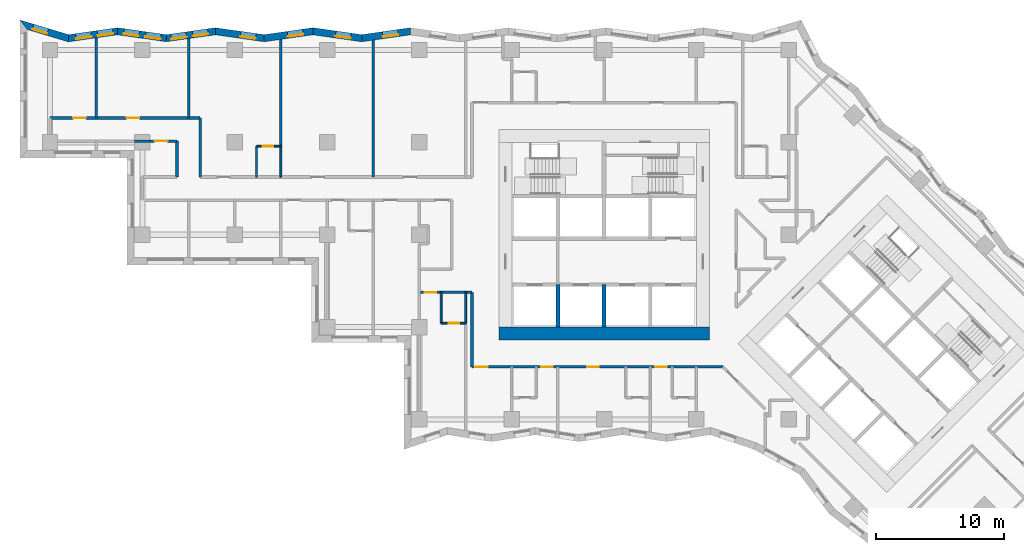
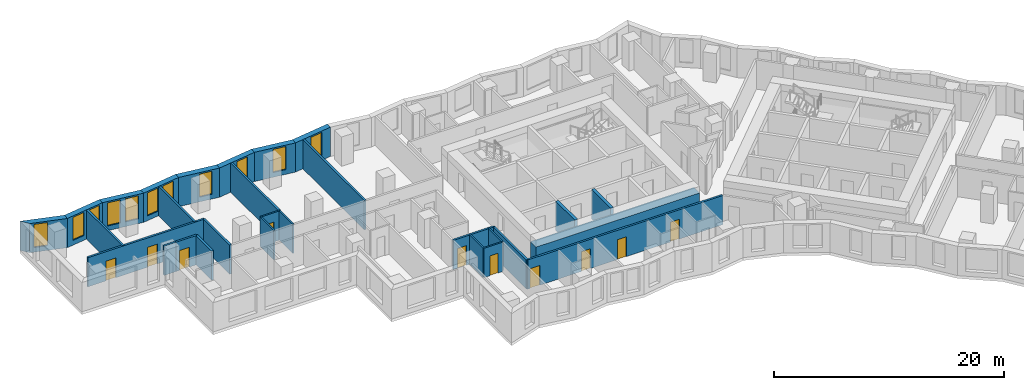
# One storey, part 4 of 12: 29 walls, 11 windows, 10 doors, 21 openings.
"""IFC4 building model written with IfcOpenShell, lengths in metres."""

from ifc_helpers import new_model, si_unit, direction, frame, frame_2d, origin, place, context, subcontext, project, spatial, polyline, rectangle, outline, extrude, material, layer, layer_set, type_object, element, fill, save


model = new_model("IFC4")

# Units and contexts
model_context = context("Model", 3, precision=1e-05, world=origin(), true_north=direction((0.0, 1.0)))
body_context = subcontext(model_context, "Body", "Model", "MODEL_VIEW")
ifc_project = project(units=[si_unit("LENGTHUNIT", "METRE"), si_unit("AREAUNIT", "SQUARE_METRE"), si_unit("VOLUMEUNIT", "CUBIC_METRE"), si_unit("PLANEANGLEUNIT", "RADIAN"), si_unit("MASSUNIT", "GRAM", prefix="KILO")], contexts=[model_context])

# Site, building, storey
site_placement = place(None, origin())
site = spatial("IfcSite", under=ifc_project, at=site_placement, CompositionType="ELEMENT")
building_placement = place(site_placement, origin())
building = spatial("IfcBuilding", under=site, at=building_placement, Name="Windrow Commons", CompositionType="ELEMENT")
storey_placement = place(building_placement, frame((0.0, 0.0, 54.2)))
storey = spatial("IfcBuildingStorey", under=building, at=storey_placement, Name="L14", CompositionType="ELEMENT", Elevation=54.2)

# Wall, opening, window
ifc_material_1 = material(Name="Brick masonry, red clay brick", Category="masonry")
ifc_layer_1 = layer(ifc_material_1, 0.55)
ifc_layer_set_1 = layer_set([ifc_layer_1], Name="Brick facade wall 550")
wall_type_1 = type_object("IfcWallType", Name="Brick facade wall 550", PredefinedType="SOLIDWALL", material=ifc_layer_set_1)
wall_1_placement = place(storey_placement, frame((49.7141, 73.4642, 0.0), z_axis=(0.0, 0.0, 1.0), x_axis=(-0.990016994, -0.1409480459, 0.0)))
wall_1 = element("IfcWall", 1, at=wall_1_placement, inside=storey, type_object=wall_type_1, Name="Brick facade wall L14 31", PredefinedType="SOLIDWALL", context=body_context, shape_type="SweptSolid", body=[
    extrude(outline(polyline([(-0.0392, -0.275), (3.8062, -0.275), (3.8845, 0.275), (0.0392, 0.275), (-0.0392, -0.275)])), origin(), (0.0, 0.0, 1.0), 3.1),
])
opening_1_placement = place(wall_1_placement, frame((0.9913, 0.0, 0.5)))
opening_1 = element("IfcOpeningElement", 2, at=opening_1_placement, cuts=wall_1, Name="Opening W7D", PredefinedType="OPENING", context=body_context, shape_type="SweptSolid", body=[
    extrude(rectangle(XDim=1.2, YDim=2.45, at=frame_2d((0.6, 1.225))), frame((0.0, 0.285, 0.0), z_axis=(0.0, -1.0, 0.0), x_axis=(1.0, 0.0, 0.0)), (0.0, 0.0, 1.0), 0.57),
])
ifc_material_2 = material(Name="Clear float glass in anodised aluminium frame", Category="aluminium")
window_type = type_object("IfcWindowType", Name="Window W7 notch 1200x2450", PartitioningType="SINGLE_PANEL", PredefinedType="WINDOW", material=ifc_material_2)
window_1_placement = place(opening_1_placement, origin())
window_1 = element("IfcWindow", 3, at=window_1_placement, inside=storey, type_object=window_type, Name="Window L14 31.1", OverallHeight=2.45, OverallWidth=1.2, PartitioningType="SINGLE_PANEL", PredefinedType="WINDOW", context=body_context, shape_type="SweptSolid", body=[
    extrude(rectangle(XDim=1.2, YDim=2.45, at=frame_2d((0.6, 1.225))), frame((0.0, 0.155, 0.0), z_axis=(0.0, -1.0, 0.0), x_axis=(1.0, 0.0, 0.0)), (0.0, 0.0, 1.0), 0.06),
])
fill(opening_1, window_1)

wall_2_placement = place(storey_placement, frame((45.9071, 72.9222, 0.0), z_axis=(0.0, 0.0, 1.0), x_axis=(-0.9900175106, 0.1409444172, 0.0)))
wall_2 = element("IfcWall", 4, at=wall_2_placement, inside=storey, type_object=wall_type_1, Name="Brick facade wall L14 32", PredefinedType="SOLIDWALL", context=body_context, shape_type="SweptSolid", body=[
    extrude(outline(polyline([(0.0392, -0.275), (3.8845, -0.275), (3.8062, 0.275), (-0.0392, 0.275), (0.0392, -0.275)])), origin(), (0.0, 0.0, 1.0), 3.1),
])
opening_2_placement = place(wall_2_placement, frame((0.8672, 0.0, 0.5)))
opening_2 = element("IfcOpeningElement", 5, at=opening_2_placement, cuts=wall_2, Name="Opening W7D", PredefinedType="OPENING", context=body_context, shape_type="SweptSolid", body=[
    extrude(rectangle(XDim=1.2, YDim=2.45, at=frame_2d((0.6, 1.225))), frame((0.0, 0.285, 0.0), z_axis=(0.0, -1.0, 0.0), x_axis=(1.0, 0.0, 0.0)), (0.0, 0.0, 1.0), 0.57),
])
window_2_placement = place(opening_2_placement, origin())
window_2 = element("IfcWindow", 6, at=window_2_placement, inside=storey, type_object=window_type, Name="Window L14 32.1", OverallHeight=2.45, OverallWidth=1.2, PartitioningType="SINGLE_PANEL", PredefinedType="WINDOW", context=body_context, shape_type="SweptSolid", body=[
    extrude(rectangle(XDim=1.2, YDim=2.45, at=frame_2d((0.6, 1.225))), frame((0.0, 0.155, 0.0), z_axis=(0.0, -1.0, 0.0), x_axis=(1.0, 0.0, 0.0)), (0.0, 0.0, 1.0), 0.06),
])
fill(opening_2, window_2)

wall_3_placement = place(storey_placement, frame((42.1, 73.4642, 0.0), z_axis=(0.0, 0.0, 1.0), x_axis=(-0.990016994, -0.1409480459, 0.0)))
wall_3 = element("IfcWall", 7, at=wall_3_placement, inside=storey, type_object=wall_type_1, Name="Brick facade wall L14 33", PredefinedType="SOLIDWALL", context=body_context, shape_type="SweptSolid", body=[
    extrude(outline(polyline([(-0.0392, -0.275), (3.8062, -0.275), (3.8845, 0.275), (0.0392, 0.275), (-0.0392, -0.275)])), origin(), (0.0, 0.0, 1.0), 3.1),
])
opening_3_placement = place(wall_3_placement, frame((0.7822, 0.0, 0.5)))
opening_3 = element("IfcOpeningElement", 8, at=opening_3_placement, cuts=wall_3, Name="Opening W7D", PredefinedType="OPENING", context=body_context, shape_type="SweptSolid", body=[
    extrude(rectangle(XDim=1.2, YDim=2.45, at=frame_2d((0.6, 1.225))), frame((0.0, 0.285, 0.0), z_axis=(0.0, -1.0, 0.0), x_axis=(1.0, 0.0, 0.0)), (0.0, 0.0, 1.0), 0.57),
])
window_3_placement = place(opening_3_placement, origin())
window_3 = element("IfcWindow", 9, at=window_3_placement, inside=storey, type_object=window_type, Name="Window L14 33.1", OverallHeight=2.45, OverallWidth=1.2, PartitioningType="SINGLE_PANEL", PredefinedType="WINDOW", context=body_context, shape_type="SweptSolid", body=[
    extrude(rectangle(XDim=1.2, YDim=2.45, at=frame_2d((0.6, 1.225))), frame((0.0, 0.155, 0.0), z_axis=(0.0, -1.0, 0.0), x_axis=(1.0, 0.0, 0.0)), (0.0, 0.0, 1.0), 0.06),
])
fill(opening_3, window_3)

wall_4_placement = place(storey_placement, frame((38.293, 72.9222, 0.0), z_axis=(0.0, 0.0, 1.0), x_axis=(-0.990016994, 0.1409480459, 0.0)))
wall_4 = element("IfcWall", 10, at=wall_4_placement, inside=storey, type_object=wall_type_1, Name="Brick facade wall L14 34", PredefinedType="SOLIDWALL", context=body_context, shape_type="SweptSolid", body=[
    extrude(outline(polyline([(0.0392, -0.275), (3.8845, -0.275), (3.8062, 0.275), (-0.0392, 0.275), (0.0392, -0.275)])), origin(), (0.0, 0.0, 1.0), 3.1),
])
opening_4_placement = place(wall_4_placement, frame((0.6581, 0.0, 0.5)))
opening_4 = element("IfcOpeningElement", 11, at=opening_4_placement, cuts=wall_4, Name="Opening W7D", PredefinedType="OPENING", context=body_context, shape_type="SweptSolid", body=[
    extrude(rectangle(XDim=1.2, YDim=2.45, at=frame_2d((0.6, 1.225))), frame((0.0, 0.285, 0.0), z_axis=(0.0, -1.0, 0.0), x_axis=(1.0, 0.0, 0.0)), (0.0, 0.0, 1.0), 0.57),
])
window_4_placement = place(opening_4_placement, origin())
window_4 = element("IfcWindow", 12, at=window_4_placement, inside=storey, type_object=window_type, Name="Window L14 34.1", OverallHeight=2.45, OverallWidth=1.2, PartitioningType="SINGLE_PANEL", PredefinedType="WINDOW", context=body_context, shape_type="SweptSolid", body=[
    extrude(rectangle(XDim=1.2, YDim=2.45, at=frame_2d((0.6, 1.225))), frame((0.0, 0.155, 0.0), z_axis=(0.0, -1.0, 0.0), x_axis=(1.0, 0.0, 0.0)), (0.0, 0.0, 1.0), 0.06),
])
fill(opening_4, window_4)

# Wall, openings, windows
wall_5_placement = place(storey_placement, frame((34.486, 73.4642, 0.0), z_axis=(0.0, 0.0, 1.0), x_axis=(-0.990016994, -0.1409480459, 0.0)))
wall_5 = element("IfcWall", 13, at=wall_5_placement, inside=storey, type_object=wall_type_1, Name="Brick facade wall L14 35", PredefinedType="SOLIDWALL", context=body_context, shape_type="SweptSolid", body=[
    extrude(outline(polyline([(-0.0392, -0.275), (3.8062, -0.275), (3.8845, 0.275), (0.0392, 0.275), (-0.0392, -0.275)])), origin(), (0.0, 0.0, 1.0), 3.1),
])
opening_5_placement = place(wall_5_placement, frame((0.5731, 0.0, 0.5)))
opening_5 = element("IfcOpeningElement", 14, at=opening_5_placement, cuts=wall_5, Name="Opening W7D", PredefinedType="OPENING", context=body_context, shape_type="SweptSolid", body=[
    extrude(rectangle(XDim=1.2, YDim=2.45, at=frame_2d((0.6, 1.225))), frame((0.0, 0.285, 0.0), z_axis=(0.0, -1.0, 0.0), x_axis=(1.0, 0.0, 0.0)), (0.0, 0.0, 1.0), 0.57),
])
opening_6_placement = place(wall_5_placement, frame((2.2762, 0.0, 0.5)))
opening_6 = element("IfcOpeningElement", 15, at=opening_6_placement, cuts=wall_5, Name="Opening W7D", PredefinedType="OPENING", context=body_context, shape_type="SweptSolid", body=[
    extrude(rectangle(XDim=1.2, YDim=2.45, at=frame_2d((0.6, 1.225))), frame((0.0, 0.285, 0.0), z_axis=(0.0, -1.0, 0.0), x_axis=(1.0, 0.0, 0.0)), (0.0, 0.0, 1.0), 0.57),
])
window_5_placement = place(opening_5_placement, origin())
window_5 = element("IfcWindow", 16, at=window_5_placement, inside=storey, type_object=window_type, Name="Window L14 35.1", OverallHeight=2.45, OverallWidth=1.2, PartitioningType="SINGLE_PANEL", PredefinedType="WINDOW", context=body_context, shape_type="SweptSolid", body=[
    extrude(rectangle(XDim=1.2, YDim=2.45, at=frame_2d((0.6, 1.225))), frame((0.0, 0.155, 0.0), z_axis=(0.0, -1.0, 0.0), x_axis=(1.0, 0.0, 0.0)), (0.0, 0.0, 1.0), 0.06),
])
fill(opening_5, window_5)
window_6_placement = place(opening_6_placement, origin())
window_6 = element("IfcWindow", 17, at=window_6_placement, inside=storey, type_object=window_type, Name="Window L14 35.2", OverallHeight=2.45, OverallWidth=1.2, PartitioningType="SINGLE_PANEL", PredefinedType="WINDOW", context=body_context, shape_type="SweptSolid", body=[
    extrude(rectangle(XDim=1.2, YDim=2.45, at=frame_2d((0.6, 1.225))), frame((0.0, 0.155, 0.0), z_axis=(0.0, -1.0, 0.0), x_axis=(1.0, 0.0, 0.0)), (0.0, 0.0, 1.0), 0.06),
])
fill(opening_6, window_6)

wall_6_placement = place(storey_placement, frame((30.679, 72.9222, 0.0), z_axis=(0.0, 0.0, 1.0), x_axis=(-0.990016994, 0.1409480459, 0.0)))
wall_6 = element("IfcWall", 18, at=wall_6_placement, inside=storey, type_object=wall_type_1, Name="Brick facade wall L14 36", PredefinedType="SOLIDWALL", context=body_context, shape_type="SweptSolid", body=[
    extrude(outline(polyline([(0.0392, -0.275), (3.8845, -0.275), (3.8062, 0.275), (-0.0392, 0.275), (0.0392, -0.275)])), origin(), (0.0, 0.0, 1.0), 3.1),
])
opening_7_placement = place(wall_6_placement, frame((0.449, 0.0, 0.5)))
opening_7 = element("IfcOpeningElement", 19, at=opening_7_placement, cuts=wall_6, Name="Opening W7D", PredefinedType="OPENING", context=body_context, shape_type="SweptSolid", body=[
    extrude(rectangle(XDim=1.2, YDim=2.45, at=frame_2d((0.6, 1.225))), frame((0.0, 0.285, 0.0), z_axis=(0.0, -1.0, 0.0), x_axis=(1.0, 0.0, 0.0)), (0.0, 0.0, 1.0), 0.57),
])
opening_8_placement = place(wall_6_placement, frame((2.1521, 0.0, 0.5)))
opening_8 = element("IfcOpeningElement", 20, at=opening_8_placement, cuts=wall_6, Name="Opening W7D", PredefinedType="OPENING", context=body_context, shape_type="SweptSolid", body=[
    extrude(rectangle(XDim=1.2, YDim=2.45, at=frame_2d((0.6, 1.225))), frame((0.0, 0.285, 0.0), z_axis=(0.0, -1.0, 0.0), x_axis=(1.0, 0.0, 0.0)), (0.0, 0.0, 1.0), 0.57),
])
window_7_placement = place(opening_7_placement, origin())
window_7 = element("IfcWindow", 21, at=window_7_placement, inside=storey, type_object=window_type, Name="Window L14 36.1", OverallHeight=2.45, OverallWidth=1.2, PartitioningType="SINGLE_PANEL", PredefinedType="WINDOW", context=body_context, shape_type="SweptSolid", body=[
    extrude(rectangle(XDim=1.2, YDim=2.45, at=frame_2d((0.6, 1.225))), frame((0.0, 0.155, 0.0), z_axis=(0.0, -1.0, 0.0), x_axis=(1.0, 0.0, 0.0)), (0.0, 0.0, 1.0), 0.06),
])
fill(opening_7, window_7)
window_8_placement = place(opening_8_placement, origin())
window_8 = element("IfcWindow", 22, at=window_8_placement, inside=storey, type_object=window_type, Name="Window L14 36.2", OverallHeight=2.45, OverallWidth=1.2, PartitioningType="SINGLE_PANEL", PredefinedType="WINDOW", context=body_context, shape_type="SweptSolid", body=[
    extrude(rectangle(XDim=1.2, YDim=2.45, at=frame_2d((0.6, 1.225))), frame((0.0, 0.155, 0.0), z_axis=(0.0, -1.0, 0.0), x_axis=(1.0, 0.0, 0.0)), (0.0, 0.0, 1.0), 0.06),
])
fill(opening_8, window_8)

wall_7_placement = place(storey_placement, frame((26.872, 73.4642, 0.0), z_axis=(0.0, 0.0, 1.0), x_axis=(-0.9900171381, -0.1409470338, 0.0)))
wall_7 = element("IfcWall", 23, at=wall_7_placement, inside=storey, type_object=wall_type_1, Name="Brick facade wall L14 37", PredefinedType="SOLIDWALL", context=body_context, shape_type="SweptSolid", body=[
    extrude(outline(polyline([(-0.0392, -0.275), (3.8062, -0.275), (3.9272, 0.275), (0.0392, 0.275), (-0.0392, -0.275)])), origin(), (0.0, 0.0, 1.0), 3.1),
])
opening_9_placement = place(wall_7_placement, frame((0.364, 0.0, 0.5)))
opening_9 = element("IfcOpeningElement", 24, at=opening_9_placement, cuts=wall_7, Name="Opening W7D", PredefinedType="OPENING", context=body_context, shape_type="SweptSolid", body=[
    extrude(rectangle(XDim=1.2, YDim=2.45, at=frame_2d((0.6, 1.225))), frame((0.0, 0.285, 0.0), z_axis=(0.0, -1.0, 0.0), x_axis=(1.0, 0.0, 0.0)), (0.0, 0.0, 1.0), 0.57),
])
opening_10_placement = place(wall_7_placement, frame((2.0778, 0.0, 0.5)))
opening_10 = element("IfcOpeningElement", 25, at=opening_10_placement, cuts=wall_7, Name="Opening W7D", PredefinedType="OPENING", context=body_context, shape_type="SweptSolid", body=[
    extrude(rectangle(XDim=1.2, YDim=2.45, at=frame_2d((0.6, 1.225))), frame((0.0, 0.285, 0.0), z_axis=(0.0, -1.0, 0.0), x_axis=(1.0, 0.0, 0.0)), (0.0, 0.0, 1.0), 0.57),
])
window_9_placement = place(opening_9_placement, origin())
window_9 = element("IfcWindow", 26, at=window_9_placement, inside=storey, type_object=window_type, Name="Window L14 37.1", OverallHeight=2.45, OverallWidth=1.2, PartitioningType="SINGLE_PANEL", PredefinedType="WINDOW", context=body_context, shape_type="SweptSolid", body=[
    extrude(rectangle(XDim=1.2, YDim=2.45, at=frame_2d((0.6, 1.225))), frame((0.0, 0.155, 0.0), z_axis=(0.0, -1.0, 0.0), x_axis=(1.0, 0.0, 0.0)), (0.0, 0.0, 1.0), 0.06),
])
fill(opening_9, window_9)
window_10_placement = place(opening_10_placement, origin())
window_10 = element("IfcWindow", 27, at=window_10_placement, inside=storey, type_object=window_type, Name="Window L14 37.2", OverallHeight=2.45, OverallWidth=1.2, PartitioningType="SINGLE_PANEL", PredefinedType="WINDOW", context=body_context, shape_type="SweptSolid", body=[
    extrude(rectangle(XDim=1.2, YDim=2.45, at=frame_2d((0.6, 1.225))), frame((0.0, 0.155, 0.0), z_axis=(0.0, -1.0, 0.0), x_axis=(1.0, 0.0, 0.0)), (0.0, 0.0, 1.0), 0.06),
])
fill(opening_10, window_10)

# Wall, opening, window
wall_8_placement = place(storey_placement, frame((23.0439, 72.9192, 0.0), z_axis=(0.0, 0.0, 1.0), x_axis=(-0.9578315412, 0.2873303652, 0.0)))
wall_8 = element("IfcWall", 28, at=wall_8_placement, inside=storey, type_object=wall_type_1, Name="Brick facade wall L14 38", PredefinedType="SOLIDWALL", context=body_context, shape_type="SweptSolid", body=[
    extrude(outline(polyline([(0.0605, -0.275), (4.0351, -0.275), (3.2959, 0.275), (-0.0605, 0.275), (0.0605, -0.275)])), origin(), (0.0, 0.0, 1.0), 3.1),
])
opening_11_placement = place(wall_8_placement, frame((1.7017, 0.0, 0.5)))
opening_11 = element("IfcOpeningElement", 29, at=opening_11_placement, cuts=wall_8, Name="Opening W7D", PredefinedType="OPENING", context=body_context, shape_type="SweptSolid", body=[
    extrude(rectangle(XDim=1.2, YDim=2.45, at=frame_2d((0.6, 1.225))), frame((0.0, 0.285, 0.0), z_axis=(0.0, -1.0, 0.0), x_axis=(1.0, 0.0, 0.0)), (0.0, 0.0, 1.0), 0.57),
])
window_11_placement = place(opening_11_placement, origin())
window_11 = element("IfcWindow", 30, at=window_11_placement, inside=storey, type_object=window_type, Name="Window L14 38.1", OverallHeight=2.45, OverallWidth=1.2, PartitioningType="SINGLE_PANEL", PredefinedType="WINDOW", context=body_context, shape_type="SweptSolid", body=[
    extrude(rectangle(XDim=1.2, YDim=2.45, at=frame_2d((0.6, 1.225))), frame((0.0, 0.155, 0.0), z_axis=(0.0, -1.0, 0.0), x_axis=(1.0, 0.0, 0.0)), (0.0, 0.0, 1.0), 0.06),
])
fill(opening_11, window_11)

# Wall, openings, doors
ifc_material_3 = material(Name="Blockwork partition", Category="masonry")
ifc_layer_2 = layer(ifc_material_3, 0.2)
ifc_layer_set_2 = layer_set([ifc_layer_2], Name="IW-CORRIDOR-200")
wall_type_2 = type_object("IfcWallType", Name="IW-CORRIDOR-200", PredefinedType="PARTITIONING", material=ifc_layer_set_2)
wall_9_placement = place(storey_placement, frame((54.5, 47.3, 0.0), z_axis=(0.0, 0.0, 1.0), x_axis=(1.0, 0.0, 0.0)))
wall_9 = element("IfcWall", 31, at=wall_9_placement, inside=storey, type_object=wall_type_2, Name="W-L14-W004", PredefinedType="PARTITIONING", context=body_context, shape_type="SweptSolid", body=[
    extrude(rectangle(XDim=19.56, YDim=0.2, at=frame_2d((9.78, 0.0))), origin(), (0.0, 0.0, 1.0), 3.1),
])
opening_12_placement = place(wall_9_placement, frame((0.2302, 0.0, 0.0)))
opening_12 = element("IfcOpeningElement", 32, at=opening_12_placement, cuts=wall_9, Name="Opening D310F", PredefinedType="OPENING", context=body_context, shape_type="SweptSolid", body=[
    extrude(rectangle(XDim=1.0, YDim=2.1, at=frame_2d((0.5, 1.05))), frame((0.0, 0.11, 0.0), z_axis=(0.0, -1.0, 0.0), x_axis=(1.0, 0.0, 0.0)), (0.0, 0.0, 1.0), 0.22),
])
opening_13_placement = place(wall_9_placement, frame((5.4, 0.0, 0.0)))
opening_13 = element("IfcOpeningElement", 33, at=opening_13_placement, cuts=wall_9, Name="Opening D109S", PredefinedType="OPENING", context=body_context, shape_type="SweptSolid", body=[
    extrude(rectangle(XDim=0.9, YDim=2.1, at=frame_2d((0.45, 1.05))), frame((0.0, 0.11, 0.0), z_axis=(0.0, -1.0, 0.0), x_axis=(1.0, 0.0, 0.0)), (0.0, 0.0, 1.0), 0.22),
])
opening_14_placement = place(wall_9_placement, frame((9.0006, 0.0, 0.0)))
opening_14 = element("IfcOpeningElement", 34, at=opening_14_placement, cuts=wall_9, Name="Opening D109F", PredefinedType="OPENING", context=body_context, shape_type="SweptSolid", body=[
    extrude(rectangle(XDim=0.9, YDim=2.1, at=frame_2d((0.45, 1.05))), frame((0.0, 0.11, 0.0), z_axis=(0.0, -1.0, 0.0), x_axis=(1.0, 0.0, 0.0)), (0.0, 0.0, 1.0), 0.22),
])
opening_15_placement = place(wall_9_placement, frame((14.3, 0.0, 0.0)))
opening_15 = element("IfcOpeningElement", 35, at=opening_15_placement, cuts=wall_9, Name="Opening D109S", PredefinedType="OPENING", context=body_context, shape_type="SweptSolid", body=[
    extrude(rectangle(XDim=0.9, YDim=2.1, at=frame_2d((0.45, 1.05))), frame((0.0, 0.11, 0.0), z_axis=(0.0, -1.0, 0.0), x_axis=(1.0, 0.0, 0.0)), (0.0, 0.0, 1.0), 0.22),
])
ifc_material_4 = material(Name="Timber door leaf", Category="wood")
door_type_1 = type_object("IfcDoorType", Name="DT-AMENITY-1000", OperationType="SINGLE_SWING_LEFT", PredefinedType="DOOR", material=ifc_material_4)
door_1_placement = place(opening_12_placement, origin())
door_1 = element("IfcDoor", 36, at=door_1_placement, inside=storey, type_object=door_type_1, Name="D-L14-D021", OperationType="SINGLE_SWING_RIGHT", OverallHeight=2.1, OverallWidth=1.0, PredefinedType="DOOR", context=body_context, shape_type="SweptSolid", body=[
    extrude(rectangle(XDim=1.0, YDim=2.1, at=frame_2d((0.5, 1.05))), frame((0.0, 0.025, 0.0), z_axis=(0.0, -1.0, 0.0), x_axis=(1.0, 0.0, 0.0)), (0.0, 0.0, 1.0), 0.05),
])
fill(opening_12, door_1)
ifc_material_5 = material(Name="Timber door leaf", Category="wood")
door_type_2 = type_object("IfcDoorType", Name="DT-BEDROOM-900", OperationType="SINGLE_SWING_LEFT", PredefinedType="DOOR", material=ifc_material_5)
door_2_placement = place(opening_13_placement, origin())
door_2 = element("IfcDoor", 37, at=door_2_placement, inside=storey, type_object=door_type_2, Name="D-L14-D025", OperationType="SINGLE_SWING_LEFT", OverallHeight=2.1, OverallWidth=0.9, PredefinedType="DOOR", context=body_context, shape_type="SweptSolid", body=[
    extrude(rectangle(XDim=0.9, YDim=2.1, at=frame_2d((0.45, 1.05))), frame((0.0, 0.025, 0.0), z_axis=(0.0, -1.0, 0.0), x_axis=(1.0, 0.0, 0.0)), (0.0, 0.0, 1.0), 0.05),
])
fill(opening_13, door_2)
door_3_placement = place(opening_14_placement, origin())
door_3 = element("IfcDoor", 38, at=door_3_placement, inside=storey, type_object=door_type_2, Name="D-L14-D027", OperationType="SINGLE_SWING_RIGHT", OverallHeight=2.1, OverallWidth=0.9, PredefinedType="DOOR", context=body_context, shape_type="SweptSolid", body=[
    extrude(rectangle(XDim=0.9, YDim=2.1, at=frame_2d((0.45, 1.05))), frame((0.0, 0.025, 0.0), z_axis=(0.0, -1.0, 0.0), x_axis=(1.0, 0.0, 0.0)), (0.0, 0.0, 1.0), 0.05),
])
fill(opening_14, door_3)
door_4_placement = place(opening_15_placement, origin())
door_4 = element("IfcDoor", 39, at=door_4_placement, inside=storey, type_object=door_type_2, Name="D-L14-D029", OperationType="SINGLE_SWING_RIGHT", OverallHeight=2.1, OverallWidth=0.9, PredefinedType="DOOR", context=body_context, shape_type="SweptSolid", body=[
    extrude(rectangle(XDim=0.9, YDim=2.1, at=frame_2d((0.45, 1.05))), frame((0.0, 0.025, 0.0), z_axis=(0.0, -1.0, 0.0), x_axis=(1.0, 0.0, 0.0)), (0.0, 0.0, 1.0), 0.05),
])
fill(opening_15, door_4)

wall_10_placement = place(storey_placement, frame((21.602, 66.7, 0.0), z_axis=(0.0, 0.0, 1.0), x_axis=(1.0, 0.0, 0.0)))
wall_10 = element("IfcWall", 40, at=wall_10_placement, inside=storey, type_object=wall_type_2, Name="W-L14-W006", PredefinedType="PARTITIONING", context=body_context, shape_type="SweptSolid", body=[
    extrude(rectangle(XDim=11.698, YDim=0.2, at=frame_2d((5.849, 0.0))), origin(), (0.0, 0.0, 1.0), 3.1),
])
opening_16_placement = place(wall_10_placement, frame((1.7901, 0.0, 0.0)))
opening_16 = element("IfcOpeningElement", 41, at=opening_16_placement, cuts=wall_10, Name="Opening D310F", PredefinedType="OPENING", context=body_context, shape_type="SweptSolid", body=[
    extrude(rectangle(XDim=1.0, YDim=2.1, at=frame_2d((0.5, 1.05))), frame((0.0, 0.11, 0.0), z_axis=(0.0, -1.0, 0.0), x_axis=(1.0, 0.0, 0.0)), (0.0, 0.0, 1.0), 0.22),
])
opening_17_placement = place(wall_10_placement, frame((5.9717, 0.0, 0.0)))
opening_17 = element("IfcOpeningElement", 42, at=opening_17_placement, cuts=wall_10, Name="Opening D310F", PredefinedType="OPENING", context=body_context, shape_type="SweptSolid", body=[
    extrude(rectangle(XDim=1.0, YDim=2.1, at=frame_2d((0.5, 1.05))), frame((0.0, 0.11, 0.0), z_axis=(0.0, -1.0, 0.0), x_axis=(1.0, 0.0, 0.0)), (0.0, 0.0, 1.0), 0.22),
])
door_5_placement = place(opening_16_placement, origin())
door_5 = element("IfcDoor", 43, at=door_5_placement, inside=storey, type_object=door_type_1, Name="D-L14-D001", OperationType="SINGLE_SWING_RIGHT", OverallHeight=2.1, OverallWidth=1.0, PredefinedType="DOOR", context=body_context, shape_type="SweptSolid", body=[
    extrude(rectangle(XDim=1.0, YDim=2.1, at=frame_2d((0.5, 1.05))), frame((0.0, 0.025, 0.0), z_axis=(0.0, -1.0, 0.0), x_axis=(1.0, 0.0, 0.0)), (0.0, 0.0, 1.0), 0.05),
])
fill(opening_16, door_5)
door_6_placement = place(opening_17_placement, origin())
door_6 = element("IfcDoor", 44, at=door_6_placement, inside=storey, type_object=door_type_1, Name="D-L14-D002", OperationType="SINGLE_SWING_LEFT", OverallHeight=2.1, OverallWidth=1.0, PredefinedType="DOOR", context=body_context, shape_type="SweptSolid", body=[
    extrude(rectangle(XDim=1.0, YDim=2.1, at=frame_2d((0.5, 1.05))), frame((0.0, 0.025, 0.0), z_axis=(0.0, -1.0, 0.0), x_axis=(1.0, 0.0, 0.0)), (0.0, 0.0, 1.0), 0.05),
])
fill(opening_17, door_6)

# Walls
wall_11_placement = place(storey_placement, frame((54.5, 47.3, 0.0), z_axis=(0.0, 0.0, 1.0), x_axis=(0.0, 1.0, 0.0)))
element("IfcWall", 45, at=wall_11_placement, inside=storey, type_object=wall_type_2, Name="W-L14-W032", PredefinedType="PARTITIONING", context=body_context, shape_type="SweptSolid", body=[
    extrude(rectangle(XDim=5.8, YDim=0.2, at=frame_2d((2.9, 0.0))), origin(), (0.0, 0.0, 1.0), 3.1),
])
wall_12_placement = place(storey_placement, frame((33.3, 62.102, 0.0), z_axis=(0.0, 0.0, 1.0), x_axis=(0.0, 1.0, 0.0)))
element("IfcWall", 46, at=wall_12_placement, inside=storey, type_object=wall_type_2, Name="W-L14-W044", PredefinedType="PARTITIONING", context=body_context, shape_type="SweptSolid", body=[
    extrude(rectangle(XDim=4.598, YDim=0.2, at=frame_2d((2.299, 0.0))), origin(), (0.0, 0.0, 1.0), 3.1),
])

# Wall, opening, door
wall_13_placement = place(storey_placement, frame((50.4, 53.1, 0.0), z_axis=(0.0, 0.0, 1.0), x_axis=(1.0, 0.0, 0.0)))
wall_13 = element("IfcWall", 47, at=wall_13_placement, inside=storey, type_object=wall_type_2, Name="W-L14-W048", PredefinedType="PARTITIONING", context=body_context, shape_type="SweptSolid", body=[
    extrude(rectangle(XDim=4.1, YDim=0.2, at=frame_2d((2.05, 0.0))), origin(), (0.0, 0.0, 1.0), 3.1),
])
opening_18_placement = place(wall_13_placement, frame((0.4, 0.0, 0.0)))
opening_18 = element("IfcOpeningElement", 48, at=opening_18_placement, cuts=wall_13, Name="Opening D109S", PredefinedType="OPENING", context=body_context, shape_type="SweptSolid", body=[
    extrude(rectangle(XDim=0.9, YDim=2.1, at=frame_2d((0.45, 1.05))), frame((0.0, 0.11, 0.0), z_axis=(0.0, -1.0, 0.0), x_axis=(1.0, 0.0, 0.0)), (0.0, 0.0, 1.0), 0.22),
])
door_7_placement = place(opening_18_placement, origin())
door_7 = element("IfcDoor", 49, at=door_7_placement, inside=storey, type_object=door_type_2, Name="D-L14-D019", OperationType="SINGLE_SWING_LEFT", OverallHeight=2.1, OverallWidth=0.9, PredefinedType="DOOR", context=body_context, shape_type="SweptSolid", body=[
    extrude(rectangle(XDim=0.9, YDim=2.1, at=frame_2d((0.45, 1.05))), frame((0.0, 0.025, 0.0), z_axis=(0.0, -1.0, 0.0), x_axis=(1.0, 0.0, 0.0)), (0.0, 0.0, 1.0), 0.05),
])
fill(opening_18, door_7)

# Wall
wall_14_placement = place(storey_placement, frame((31.5, 62.102, 0.0), z_axis=(0.0, 0.0, 1.0), x_axis=(0.0, 1.0, 0.0)))
element("IfcWall", 50, at=wall_14_placement, inside=storey, type_object=wall_type_2, Name="W-L14-W056", PredefinedType="PARTITIONING", context=body_context, shape_type="SweptSolid", body=[
    extrude(rectangle(XDim=2.796, YDim=0.2, at=frame_2d((1.398, 0.0))), origin(), (0.0, 0.0, 1.0), 3.1),
])

# Wall, opening, door
wall_15_placement = place(storey_placement, frame((29.4, 64.9, 0.0), z_axis=(0.0, 0.0, 1.0), x_axis=(1.0, 0.0, 0.0)))
wall_15 = element("IfcWall", 51, at=wall_15_placement, inside=storey, type_object=wall_type_2, Name="W-L14-W099", PredefinedType="PARTITIONING", context=body_context, shape_type="SweptSolid", body=[
    extrude(rectangle(XDim=2.1, YDim=0.2, at=frame_2d((1.05, 0.0))), origin(), (0.0, 0.0, 1.0), 3.1),
])
opening_19_placement = place(wall_15_placement, frame((0.3604, 0.0, 0.0)))
opening_19 = element("IfcOpeningElement", 52, at=opening_19_placement, cuts=wall_15, Name="Opening D310F", PredefinedType="OPENING", context=body_context, shape_type="SweptSolid", body=[
    extrude(rectangle(XDim=1.0, YDim=2.1, at=frame_2d((0.5, 1.05))), frame((0.0, 0.11, 0.0), z_axis=(0.0, -1.0, 0.0), x_axis=(1.0, 0.0, 0.0)), (0.0, 0.0, 1.0), 0.22),
])
door_8_placement = place(opening_19_placement, origin())
door_8 = element("IfcDoor", 53, at=door_8_placement, inside=storey, type_object=door_type_1, Name="D-L14-D003", OperationType="SINGLE_SWING_RIGHT", OverallHeight=2.1, OverallWidth=1.0, PredefinedType="DOOR", context=body_context, shape_type="SweptSolid", body=[
    extrude(rectangle(XDim=1.0, YDim=2.1, at=frame_2d((0.5, 1.05))), frame((0.0, 0.025, 0.0), z_axis=(0.0, -1.0, 0.0), x_axis=(1.0, 0.0, 0.0)), (0.0, 0.0, 1.0), 0.05),
])
fill(opening_19, door_8)

# Walls
wall_16_placement = place(storey_placement, frame((28.2, 64.9, 0.0), z_axis=(0.0, 0.0, 1.0), x_axis=(1.0, 0.0, 0.0)))
element("IfcWall", 54, at=wall_16_placement, inside=storey, type_object=wall_type_2, Name="W-L14-W159", PredefinedType="PARTITIONING", context=body_context, shape_type="SweptSolid", body=[
    extrude(rectangle(XDim=1.2, YDim=0.2, at=frame_2d((0.6, 0.0))), origin(), (0.0, 0.0, 1.0), 3.1),
])
ifc_material_6 = material(Name="Blockwork partition", Category="masonry")
ifc_layer_3 = layer(ifc_material_6, 0.15)
ifc_layer_set_3 = layer_set([ifc_layer_3], Name="IW-ENSUITE-150")
wall_type_3 = type_object("IfcWallType", Name="IW-ENSUITE-150", PredefinedType="PARTITIONING", material=ifc_layer_set_3)
for number, where, z_axis, x_axis, name in (
    (55, (37.7, 62.1, 0.0), (0.0, 0.0, 1.0), (0.0, 1.0, 0.0), "W-L14-W068"),
    (56, (39.6, 62.1, 0.0), (0.0, 0.0, 1.0), (0.0, 1.0, 0.0), "W-L14-W069"),
    (57, (52.1, 50.7, 0.0), (0.0, 0.0, 1.0), (0.0, 1.0, 0.0), "W-L14-W072"),
    (58, (54.0, 50.7, 0.0), (0.0, 0.0, 1.0), (0.0, 1.0, 0.0), "W-L14-W073"),
):
    element("IfcWall", number, at=place(storey_placement, frame(where, z_axis=z_axis, x_axis=x_axis)), inside=storey, type_object=wall_type_3, Name=name, PredefinedType="PARTITIONING", context=body_context, shape_type="SweptSolid", body=[
        extrude(rectangle(XDim=2.4, YDim=0.15, at=frame_2d((1.2, 0.0))), origin(), (0.0, 0.0, 1.0), 3.1),
    ])

# Wall, opening, door
wall_17_placement = place(storey_placement, frame((37.7, 64.5, 0.0), z_axis=(0.0, 0.0, 1.0), x_axis=(1.0, 0.0, 0.0)))
wall_17 = element("IfcWall", 59, at=wall_17_placement, inside=storey, type_object=wall_type_3, Name="W-L14-W111", PredefinedType="PARTITIONING", context=body_context, shape_type="SweptSolid", body=[
    extrude(rectangle(XDim=1.9, YDim=0.15, at=frame_2d((0.95, 0.0))), origin(), (0.0, 0.0, 1.0), 3.1),
])
opening_20_placement = place(wall_17_placement, frame((0.4931, 0.0, 0.0)))
opening_20 = element("IfcOpeningElement", 60, at=opening_20_placement, cuts=wall_17, Name="Opening D208N", PredefinedType="OPENING", context=body_context, shape_type="SweptSolid", body=[
    extrude(rectangle(XDim=0.8, YDim=2.1, at=frame_2d((0.4, 1.05))), frame((0.0, 0.085, 0.0), z_axis=(0.0, -1.0, 0.0), x_axis=(1.0, 0.0, 0.0)), (0.0, 0.0, 1.0), 0.17),
])
ifc_material_7 = material(Name="Timber door leaf", Category="wood")
door_type_3 = type_object("IfcDoorType", Name="DT-ENSUITE-800", OperationType="SINGLE_SWING_LEFT", PredefinedType="DOOR", material=ifc_material_7)
door_9_placement = place(opening_20_placement, origin())
door_9 = element("IfcDoor", 61, at=door_9_placement, inside=storey, type_object=door_type_3, Name="D-L14-D007", OperationType="SINGLE_SWING_RIGHT", OverallHeight=2.1, OverallWidth=0.8, PredefinedType="DOOR", context=body_context, shape_type="SweptSolid", body=[
    extrude(rectangle(XDim=0.8, YDim=2.1, at=frame_2d((0.4, 1.05))), frame((0.0, 0.025, 0.0), z_axis=(0.0, -1.0, 0.0), x_axis=(1.0, 0.0, 0.0)), (0.0, 0.0, 1.0), 0.05),
])
fill(opening_20, door_9)

wall_18_placement = place(storey_placement, frame((52.1, 50.7, 0.0), z_axis=(0.0, 0.0, 1.0), x_axis=(1.0, 0.0, 0.0)))
wall_18 = element("IfcWall", 62, at=wall_18_placement, inside=storey, type_object=wall_type_3, Name="W-L14-W113", PredefinedType="PARTITIONING", context=body_context, shape_type="SweptSolid", body=[
    extrude(rectangle(XDim=1.9, YDim=0.15, at=frame_2d((0.95, 0.0))), origin(), (0.0, 0.0, 1.0), 3.1),
])
opening_21_placement = place(wall_18_placement, frame((0.5979, 0.0, 0.0)))
opening_21 = element("IfcOpeningElement", 63, at=opening_21_placement, cuts=wall_18, Name="Opening D208N", PredefinedType="OPENING", context=body_context, shape_type="SweptSolid", body=[
    extrude(rectangle(XDim=0.8, YDim=2.1, at=frame_2d((0.4, 1.05))), frame((0.0, 0.085, 0.0), z_axis=(0.0, -1.0, 0.0), x_axis=(1.0, 0.0, 0.0)), (0.0, 0.0, 1.0), 0.17),
])
door_10_placement = place(opening_21_placement, origin())
door_10 = element("IfcDoor", 64, at=door_10_placement, inside=storey, type_object=door_type_3, Name="D-L14-D020", OperationType="SINGLE_SWING_RIGHT", OverallHeight=2.1, OverallWidth=0.8, PredefinedType="DOOR", context=body_context, shape_type="SweptSolid", body=[
    extrude(rectangle(XDim=0.8, YDim=2.1, at=frame_2d((0.4, 1.05))), frame((0.0, 0.025, 0.0), z_axis=(0.0, -1.0, 0.0), x_axis=(1.0, 0.0, 0.0)), (0.0, 0.0, 1.0), 0.05),
])
fill(opening_21, door_10)

# Walls
ifc_material_8 = material(Name="Blockwork partition", Category="masonry")
ifc_layer_4 = layer(ifc_material_8, 0.2)
ifc_layer_set_4 = layer_set([ifc_layer_4], Name="IW-PARTY-200")
wall_type_4 = type_object("IfcWallType", Name="IW-PARTY-200", PredefinedType="PARTITIONING", material=ifc_layer_set_4)
wall_19_placement = place(storey_placement, frame((46.8, 62.1, 0.0), z_axis=(0.0, 0.0, 1.0), x_axis=(0.0, 1.0, 0.0)))
element("IfcWall", 65, at=wall_19_placement, inside=storey, type_object=wall_type_4, Name="W-L14-W009", PredefinedType="PARTITIONING", context=body_context, shape_type="SweptSolid", body=[
    extrude(rectangle(XDim=10.6716, YDim=0.2, at=frame_2d((5.3358, 0.0))), origin(), (0.0, 0.0, 1.0), 3.1),
])
wall_20_placement = place(storey_placement, frame((39.6, 64.5, 0.0), z_axis=(0.0, 0.0, 1.0), x_axis=(0.0, 1.0, 0.0)))
element("IfcWall", 66, at=wall_20_placement, inside=storey, type_object=wall_type_4, Name="W-L14-W017", PredefinedType="PARTITIONING", context=body_context, shape_type="SweptSolid", body=[
    extrude(rectangle(XDim=8.3305, YDim=0.2, at=frame_2d((4.1653, 0.0))), origin(), (0.0, 0.0, 1.0), 3.1),
])
wall_21_placement = place(storey_placement, frame((25.2, 66.7, 0.0), z_axis=(0.0, 0.0, 1.0), x_axis=(0.0, 1.0, 0.0)))
element("IfcWall", 67, at=wall_21_placement, inside=storey, type_object=wall_type_4, Name="W-L14-W026", PredefinedType="PARTITIONING", context=body_context, shape_type="SweptSolid", body=[
    extrude(rectangle(XDim=6.2484, YDim=0.2, at=frame_2d((3.1242, 0.0))), origin(), (0.0, 0.0, 1.0), 3.1),
])
wall_22_placement = place(storey_placement, frame((32.4, 66.7, 0.0), z_axis=(0.0, 0.0, 1.0), x_axis=(0.0, 1.0, 0.0)))
element("IfcWall", 68, at=wall_22_placement, inside=storey, type_object=wall_type_4, Name="W-L14-W027", PredefinedType="PARTITIONING", context=body_context, shape_type="SweptSolid", body=[
    extrude(rectangle(XDim=6.1895, YDim=0.2, at=frame_2d((3.0947, 0.0))), origin(), (0.0, 0.0, 1.0), 3.1),
])
ifc_material_9 = material(Name="Concrete C60/75", Category="concrete")
ifc_layer_5 = layer(ifc_material_9, 1.0)
ifc_layer_set_5 = layer_set([ifc_layer_5], Name="RC CORE WALL 1000 C60/75")
wall_type_5 = type_object("IfcWallType", Name="RC CORE WALL 1000 C60/75", PredefinedType="SHEAR", material=ifc_layer_set_5)
wall_23_placement = place(storey_placement, frame((56.6, 49.9, -0.3), z_axis=(0.0, 0.0, 1.0), x_axis=(1.0, 0.0, 0.0)))
element("IfcWall", 69, at=wall_23_placement, inside=storey, type_object=wall_type_5, Name="Core A wall outer-S", PredefinedType="SHEAR", context=body_context, shape_type="SweptSolid", body=[
    extrude(rectangle(XDim=16.4, YDim=1.0, at=frame_2d((8.2, 0.0))), origin(), (0.0, 0.0, 1.0), 2.7),
])
ifc_material_10 = material(Name="Concrete C60/75", Category="concrete")
ifc_layer_6 = layer(ifc_material_10, 0.3)
ifc_layer_set_6 = layer_set([ifc_layer_6], Name="RC SHAFT WALL 300 C60/75")
wall_type_6 = type_object("IfcWallType", Name="RC SHAFT WALL 300 C60/75", PredefinedType="SOLIDWALL", material=ifc_layer_set_6)
for number, where, z_axis, x_axis, name in (
    (70, (61.2, 50.4, 0.0), (0.0, 0.0, 1.0), (0.0, 1.0, 0.0), "Core A wall shaft-S1"),
    (71, (64.8, 50.4, 0.0), (0.0, 0.0, 1.0), (0.0, 1.0, 0.0), "Core A wall shaft-S2"),
):
    element("IfcWall", number, at=place(storey_placement, frame(where, z_axis=z_axis, x_axis=x_axis)), inside=storey, type_object=wall_type_6, Name=name, PredefinedType="SOLIDWALL", context=body_context, shape_type="SweptSolid", body=[
        extrude(rectangle(XDim=3.3, YDim=0.3, at=frame_2d((1.65, 0.0))), origin(), (0.0, 0.0, 1.0), 3.1),
    ])

save(model, "model.ifc")
